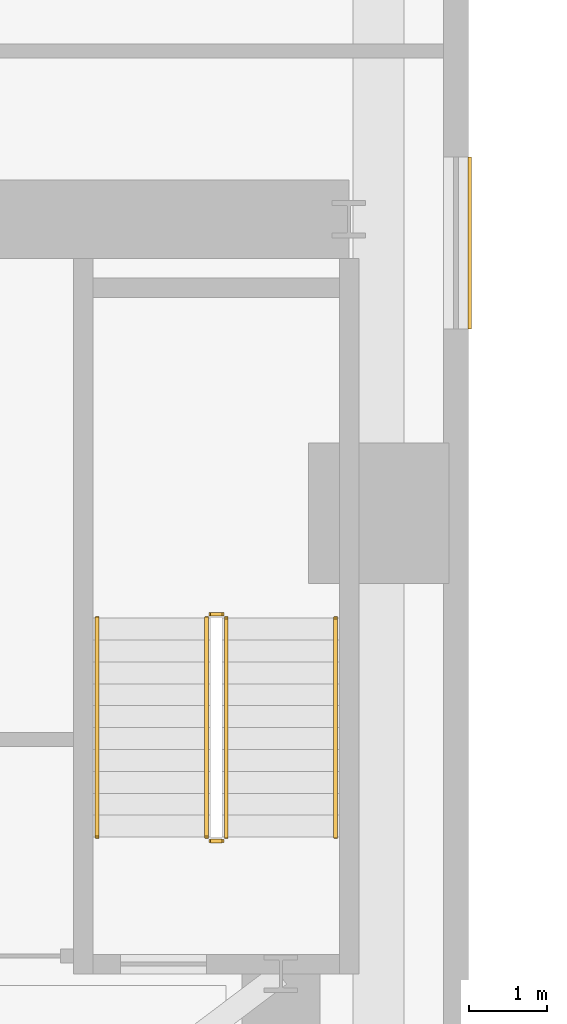
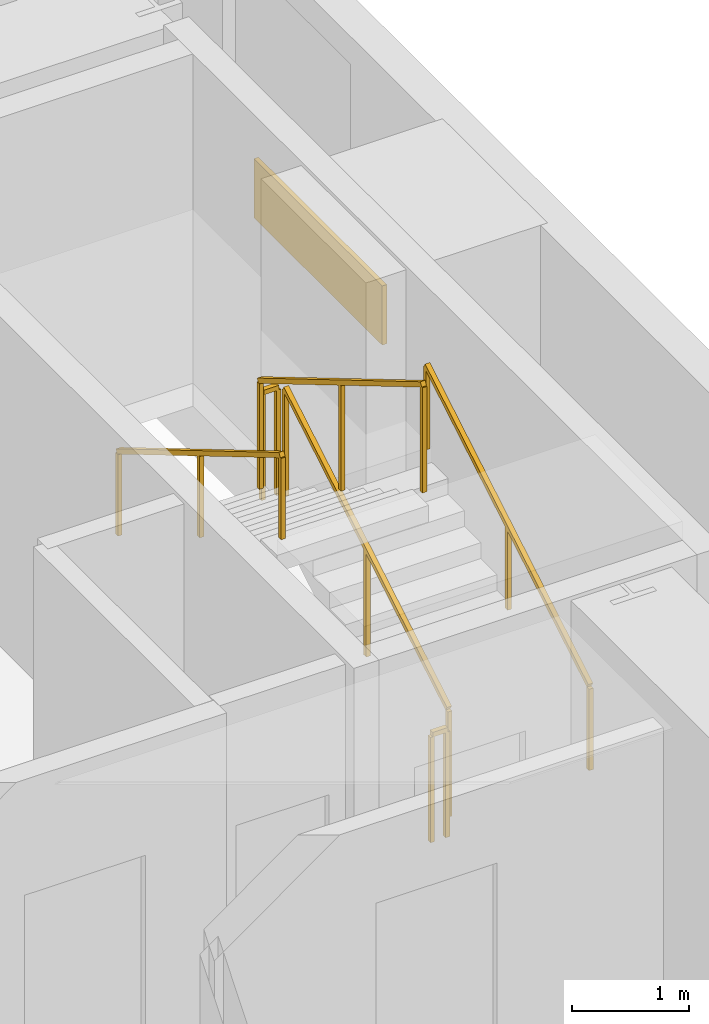
# One storey, part 12 of 12: 6 railings, 1 covering.
"""IFC4 building model written with IfcOpenShell, lengths in metres."""

from ifc_helpers import new_model, si_unit, direction, frame, origin, origin_2d, place, context, subcontext, project, spatial, rectangle, extrude, source, transform, mapped, material, layer, layer_set, type_object, element, save


model = new_model("IFC4")

# Units and contexts
model_context = context("Model", 3, precision=1e-05, world=origin(), true_north=direction((0.0, 1.0)))
body_context = subcontext(model_context, "Body", "Model", "MODEL_VIEW")
ifc_project = project(units=[si_unit("LENGTHUNIT", "METRE"), si_unit("AREAUNIT", "SQUARE_METRE"), si_unit("VOLUMEUNIT", "CUBIC_METRE"), si_unit("PLANEANGLEUNIT", "RADIAN"), si_unit("MASSUNIT", "GRAM", prefix="KILO")], contexts=[model_context])

# Site, building, storey
site_placement = place(None, origin())
site = spatial("IfcSite", under=ifc_project, at=site_placement, CompositionType="ELEMENT")
building_placement = place(site_placement, origin())
building = spatial("IfcBuilding", under=site, at=building_placement, Name="Vardaveli Station Tower", CompositionType="ELEMENT")
storey_placement = place(building_placement, frame((0.0, 0.0, 60.449951171875)))
storey = spatial("IfcBuildingStorey", under=building, at=storey_placement, Name="L15", CompositionType="ELEMENT", Elevation=60.449951171875)

# Covering
ifc_material_1 = material(Name="Ventilated honed travertine stone cladding", Category="masonry")
ifc_layer = layer(ifc_material_1, 0.044921875, Name="Ventilated honed travertine stone cladding")
ifc_layer_set = layer_set([ifc_layer], Name="Ventilated honed travertine stone cladding")
covering_type = type_object("IfcCoveringType", Name="COV-CLAD-TR45", PredefinedType="CLADDING", material=ifc_layer_set)
shared_shape_1 = source(origin(), body_context, "Body", "SweptSolid", [
    extrude(rectangle(XDim=2.199951171875, YDim=0.044921875, at=origin_2d()), origin(), (0.0, 0.0, 1.0), 0.6201171875),
])
covering_placement = place(storey_placement, frame((48.91455078125, 39.9951171875, 0.070068359375), z_axis=(0.0, 0.0, 1.0), x_axis=(0.0, 1.0, 0.0)))
element("IfcCovering", 1, at=covering_placement, inside=storey, type_object=covering_type, Name="CLD-TR-L15-E", PredefinedType="CLADDING", context=body_context, shape_type="MappedRepresentation", body=[
    mapped(shared_shape_1, transform((0.0, 0.0, 0.0), scale=1.0)),
])

# Railings
ifc_material_2 = material(Name="Brushed AISI 316 stainless steel", Category="steel")
railing_type_1 = type_object("IfcRailingType", Name="RL-GUARD-1150", PredefinedType="GUARDRAIL", material=ifc_material_2)
shared_shape_2 = source(origin(), body_context, "Body", "SweptSolid", [
    extrude(rectangle(XDim=0.048095703125, YDim=0.048095703125, at=origin_2d()), frame((0.0, 0.0, 1.1259765625), z_axis=(-1.0, 0.0, 0.0), x_axis=(0.0, -1.0, 0.0)), (0.0, 0.0, 1.0), 0.14990234375),
    extrude(rectangle(XDim=0.0419921875, YDim=0.0419921875, at=origin_2d()), origin(), (0.0, 0.0, 1.0), 1.101806640625),
    extrude(rectangle(XDim=0.0419921875, YDim=0.0419921875, at=origin_2d()), frame((-0.14990234375, 0.0, 0.0)), (0.0, 0.0, 1.0), 1.101806640625),
])
for number, where, name in (
    (2, (45.75, 35.25, 1.824951171875), "L15 ST-3 stair guard 2"),
    (3, (45.75, 32.35009765625, 0.0), "L15 ST-3 stair guard 4"),
):
    element("IfcRailing", number, at=place(storey_placement, frame(where)), inside=storey, type_object=railing_type_1, Name=name, PredefinedType="GUARDRAIL", context=body_context, shape_type="MappedRepresentation", body=[
        mapped(shared_shape_2, transform((0.0, 0.0, 0.0), scale=1.0)),
    ])
shared_shape_3 = source(origin(), body_context, "Body", "SweptSolid", [
    extrude(rectangle(XDim=0.048095703125, YDim=0.048095703125, at=origin_2d()), frame((0.0, 0.0, 1.1259765625), z_axis=(0.0, -0.860306154799, 0.50977771628), x_axis=(1.0, 0.0, 0.0)), (0.0, 0.0, 1.0), 3.254638671875),
    extrude(rectangle(XDim=0.0419921875, YDim=0.0419921875, at=origin_2d()), origin(), (0.0, 0.0, 1.0), 1.101806640625),
    extrude(rectangle(XDim=0.0419921875, YDim=0.0419921875, at=origin_2d()), frame((0.0, -1.39990234375, 0.82958984375)), (0.0, 0.0, 1.0), 1.101806640625),
    extrude(rectangle(XDim=0.0419921875, YDim=0.0419921875, at=origin_2d()), frame((0.0, -2.800048828125, 1.6591796875)), (0.0, 0.0, 1.0), 1.101806640625),
])
railing_1_placement = place(storey_placement, frame((45.550048828125, 35.199951171875, 1.990966796875)))
element("IfcRailing", 4, at=railing_1_placement, inside=storey, type_object=railing_type_1, Name="L15 ST-3 stair guard 3", PredefinedType="GUARDRAIL", context=body_context, shape_type="MappedRepresentation", body=[
    mapped(shared_shape_3, transform((0.0, 0.0, 0.0), scale=1.0)),
])
railing_type_2 = type_object("IfcRailingType", Name="RL-HAND-900", PredefinedType="HANDRAIL", material=ifc_material_2)
shared_shape_4 = source(origin(), body_context, "Body", "SweptSolid", [
    extrude(rectangle(XDim=0.048095703125, YDim=0.048095703125, at=origin_2d()), frame((0.0, 0.0, 0.8759765625), z_axis=(0.0, -0.860306154799, 0.50977771628), x_axis=(1.0, 0.0, 0.0)), (0.0, 0.0, 1.0), 3.254638671875),
    extrude(rectangle(XDim=0.0419921875, YDim=0.0419921875, at=origin_2d()), origin(), (0.0, 0.0, 1.0), 0.851806640625),
    extrude(rectangle(XDim=0.0419921875, YDim=0.0419921875, at=origin_2d()), frame((0.0, -1.39990234375, 0.82958984375)), (0.0, 0.0, 1.0), 0.851806640625),
    extrude(rectangle(XDim=0.0419921875, YDim=0.0419921875, at=origin_2d()), frame((0.0, -2.800048828125, 1.6591796875)), (0.0, 0.0, 1.0), 0.851806640625),
])
railing_2_placement = place(storey_placement, frame((44.14990234375, 35.199951171875, 1.990966796875)))
element("IfcRailing", 5, at=railing_2_placement, inside=storey, type_object=railing_type_2, Name="L15 ST-3 stair handrail 2", PredefinedType="HANDRAIL", context=body_context, shape_type="MappedRepresentation", body=[
    mapped(shared_shape_4, transform((0.0, 0.0, 0.0), scale=1.0)),
])
shared_shape_5 = source(origin(), body_context, "Body", "SweptSolid", [
    extrude(rectangle(XDim=0.048095703125, YDim=0.048095703125, at=origin_2d()), frame((0.0, 0.0, 1.1259765625), z_axis=(0.0, 0.860339051648, 0.50972219513), x_axis=(-1.0, 0.0, 0.0)), (0.0, 0.0, 1.0), 3.254638671875),
    extrude(rectangle(XDim=0.0419921875, YDim=0.0419921875, at=origin_2d()), origin(), (0.0, 0.0, 1.0), 1.101806640625),
    extrude(rectangle(XDim=0.0419921875, YDim=0.0419921875, at=origin_2d()), frame((0.0, 1.39990234375, 0.82958984375)), (0.0, 0.0, 1.0), 1.101806640625),
    extrude(rectangle(XDim=0.0419921875, YDim=0.0419921875, at=origin_2d()), frame((0.0, 2.800048828125, 1.658935546875)), (0.0, 0.0, 1.0), 1.101806640625),
])
railing_3_placement = place(storey_placement, frame((45.800048828125, 32.39990234375, 0.166015625)))
element("IfcRailing", 6, at=railing_3_placement, inside=storey, type_object=railing_type_1, Name="L15 ST-3 stair guard 1", PredefinedType="GUARDRAIL", context=body_context, shape_type="MappedRepresentation", body=[
    mapped(shared_shape_5, transform((0.0, 0.0, 0.0), scale=1.0)),
])
shared_shape_6 = source(origin(), body_context, "Body", "SweptSolid", [
    extrude(rectangle(XDim=0.048095703125, YDim=0.048095703125, at=origin_2d()), frame((0.0, 0.0, 0.8759765625), z_axis=(0.0, 0.860339051648, 0.50972219513), x_axis=(-1.0, 0.0, 0.0)), (0.0, 0.0, 1.0), 3.254638671875),
    extrude(rectangle(XDim=0.0419921875, YDim=0.0419921875, at=origin_2d()), origin(), (0.0, 0.0, 1.0), 0.851806640625),
    extrude(rectangle(XDim=0.0419921875, YDim=0.0419921875, at=origin_2d()), frame((0.0, 1.39990234375, 0.82958984375)), (0.0, 0.0, 1.0), 0.851806640625),
    extrude(rectangle(XDim=0.0419921875, YDim=0.0419921875, at=origin_2d()), frame((0.0, 2.800048828125, 1.658935546875)), (0.0, 0.0, 1.0), 0.851806640625),
])
railing_4_placement = place(storey_placement, frame((47.199951171875, 32.39990234375, 0.166015625)))
element("IfcRailing", 7, at=railing_4_placement, inside=storey, type_object=railing_type_2, Name="L15 ST-3 stair handrail 1", PredefinedType="HANDRAIL", context=body_context, shape_type="MappedRepresentation", body=[
    mapped(shared_shape_6, transform((0.0, 0.0, 0.0), scale=1.0)),
])

save(model, "model.ifc")
